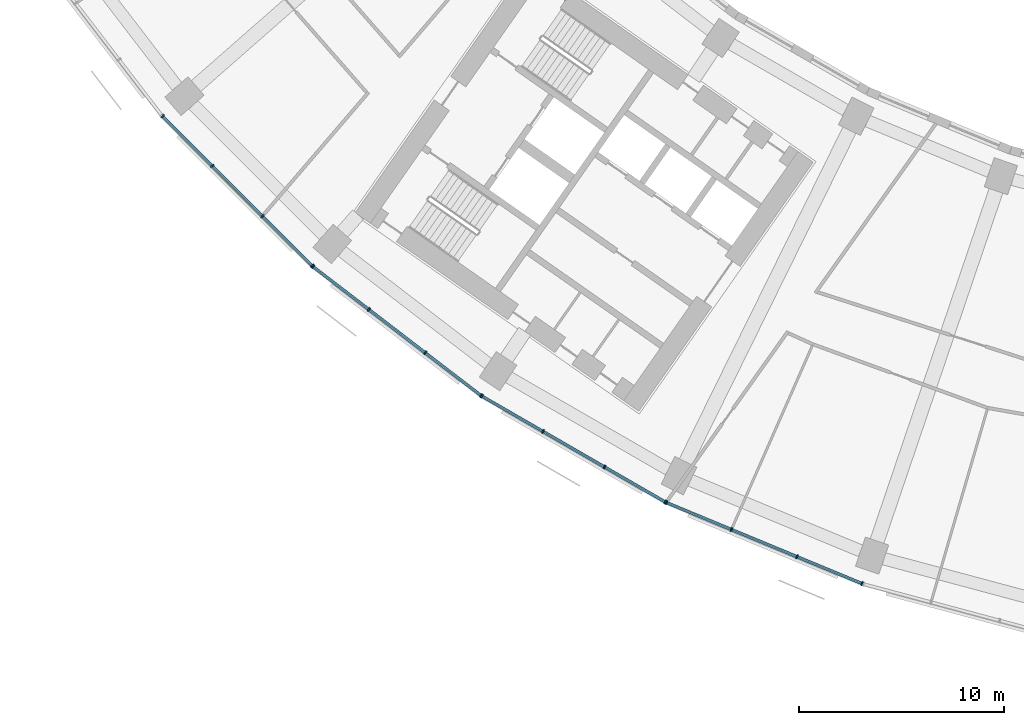
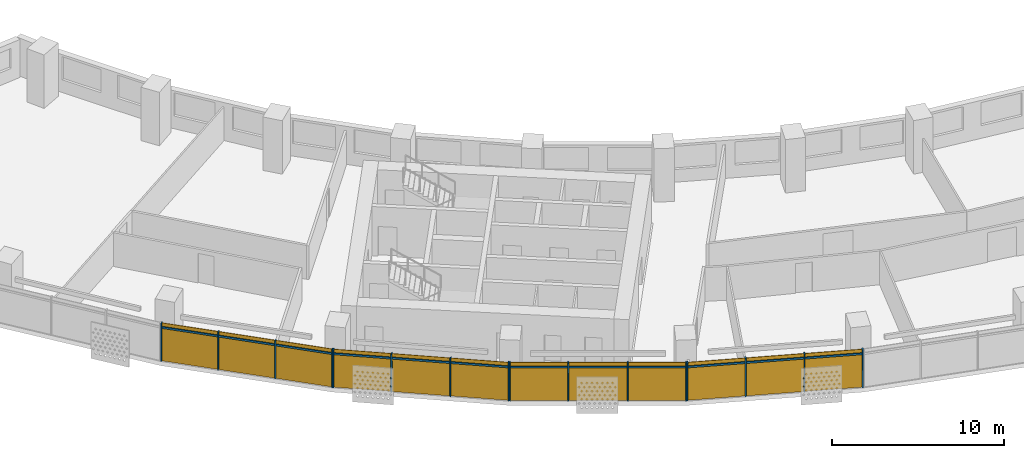
# One storey, part 18 of 29: 28 members, 4 curtain walls.
"""IFC4 building model written with IfcOpenShell, lengths in metres."""

from ifc_helpers import new_model, si_unit, direction, frame, origin, origin_2d, place, context, subcontext, project, spatial, rectangle, extrude, material, material_profile, profile_set, type_object, element, aggregate, save


model = new_model("IFC4")

# Units and contexts
model_context = context("Model", 3, precision=1e-05, world=origin(), true_north=direction((0.0, 1.0)))
body_context = subcontext(model_context, "Body", "Model", "MODEL_VIEW")
ifc_project = project(units=[si_unit("LENGTHUNIT", "METRE"), si_unit("AREAUNIT", "SQUARE_METRE"), si_unit("VOLUMEUNIT", "CUBIC_METRE"), si_unit("PLANEANGLEUNIT", "RADIAN"), si_unit("MASSUNIT", "GRAM", prefix="KILO")], contexts=[model_context])

# Member
ifc_material = material(Name="Aluminium 6063-T6 anodised", Category="aluminium")
ifc_material_profile_1 = material_profile(ifc_material, rectangle(XDim=0.199951171875, YDim=0.070068359375, at=origin_2d()))
ifc_profile_set_1 = profile_set([ifc_material_profile_1], Name="Aluminium 6063-T6 anodised")
member_type_1 = type_object("IfcMemberType", Name="Mullion 70 x 200 aluminium", PredefinedType="MULLION", material=ifc_profile_set_1)
site_placement = place(None, origin())
building_placement = place(site_placement, origin())
storey_placement = place(building_placement, frame((0.0, 0.0, 136.699951171875)))
member_1_placement = place(storey_placement, frame((-59.525390625, -52.240234375, 0.0), z_axis=(0.0, 0.0, 1.0), x_axis=(0.707106781187, 0.707106781187, 0.0)))
member_1 = element("IfcMember", 1, at=member_1_placement, type_object=member_type_1, Name="e-cw1-L31-out03/M00", PredefinedType="MULLION", context=body_context, shape_type="SweptSolid", body=[
    extrude(rectangle(XDim=0.199951171875, YDim=0.070068359375, at=origin_2d()), origin(), (0.0, 0.0, 1.0), 2.699951171875),
])

member_2_placement = place(storey_placement, frame((-57.105224609375, -54.660400390625, 0.0), z_axis=(0.0, 0.0, 1.0), x_axis=(0.707106781187, 0.707106781187, 0.0)))
member_2 = element("IfcMember", 2, at=member_2_placement, type_object=member_type_1, Name="e-cw1-L31-out03/M01", PredefinedType="MULLION", context=body_context, shape_type="SweptSolid", body=[
    extrude(rectangle(XDim=0.199951171875, YDim=0.070068359375, at=origin_2d()), origin(), (0.0, 0.0, 1.0), 2.699951171875),
])

member_3_placement = place(storey_placement, frame((-54.660400390625, -57.105224609375, 0.0), z_axis=(0.0, 0.0, 1.0), x_axis=(0.707106781187, 0.707106781187, 0.0)))
member_3 = element("IfcMember", 3, at=member_3_placement, type_object=member_type_1, Name="e-cw1-L31-out03/M02", PredefinedType="MULLION", context=body_context, shape_type="SweptSolid", body=[
    extrude(rectangle(XDim=0.199951171875, YDim=0.070068359375, at=origin_2d()), origin(), (0.0, 0.0, 1.0), 2.699951171875),
])

member_4_placement = place(storey_placement, frame((-52.240234375, -59.525390625, 0.0), z_axis=(0.0, 0.0, 1.0), x_axis=(0.707106781187, 0.707106781187, 0.0)))
member_4 = element("IfcMember", 4, at=member_4_placement, type_object=member_type_1, Name="e-cw1-L31-out03/M03", PredefinedType="MULLION", context=body_context, shape_type="SweptSolid", body=[
    extrude(rectangle(XDim=0.199951171875, YDim=0.070068359375, at=origin_2d()), origin(), (0.0, 0.0, 1.0), 2.699951171875),
])

member_5_placement = place(storey_placement, frame((-52.197509765625, -59.56298828125, 0.0), z_axis=(0.0, 0.0, 1.0), x_axis=(0.608761429009, 0.793353340291, 0.0)))
member_5 = element("IfcMember", 5, at=member_5_placement, type_object=member_type_1, Name="e-cw1-L31-out04/M00", PredefinedType="MULLION", context=body_context, shape_type="SweptSolid", body=[
    extrude(rectangle(XDim=0.199951171875, YDim=0.070068359375, at=origin_2d()), origin(), (0.0, 0.0, 1.0), 2.699951171875),
])

member_6_placement = place(storey_placement, frame((-49.482177734375, -61.646484375, 0.0), z_axis=(0.0, 0.0, 1.0), x_axis=(0.608761429009, 0.793353340291, 0.0)))
member_6 = element("IfcMember", 6, at=member_6_placement, type_object=member_type_1, Name="e-cw1-L31-out04/M01", PredefinedType="MULLION", context=body_context, shape_type="SweptSolid", body=[
    extrude(rectangle(XDim=0.199951171875, YDim=0.070068359375, at=origin_2d()), origin(), (0.0, 0.0, 1.0), 2.699951171875),
])

member_7_placement = place(storey_placement, frame((-46.739013671875, -63.751220703125, 0.0), z_axis=(0.0, 0.0, 1.0), x_axis=(0.608761429009, 0.793353340291, 0.0)))
member_7 = element("IfcMember", 7, at=member_7_placement, type_object=member_type_1, Name="e-cw1-L31-out04/M02", PredefinedType="MULLION", context=body_context, shape_type="SweptSolid", body=[
    extrude(rectangle(XDim=0.199951171875, YDim=0.070068359375, at=origin_2d()), origin(), (0.0, 0.0, 1.0), 2.699951171875),
])

member_8_placement = place(storey_placement, frame((-44.023681640625, -65.8349609375, 0.0), z_axis=(0.0, 0.0, 1.0), x_axis=(0.608761429009, 0.793353340291, 0.0)))
member_8 = element("IfcMember", 8, at=member_8_placement, type_object=member_type_1, Name="e-cw1-L31-out04/M03", PredefinedType="MULLION", context=body_context, shape_type="SweptSolid", body=[
    extrude(rectangle(XDim=0.199951171875, YDim=0.070068359375, at=origin_2d()), origin(), (0.0, 0.0, 1.0), 2.699951171875),
])

member_9_placement = place(storey_placement, frame((-43.976318359375, -65.866455078125, 0.0), z_axis=(0.0, 0.0, 1.0), x_axis=(0.5, 0.866025403784, 0.0)))
member_9 = element("IfcMember", 9, at=member_9_placement, type_object=member_type_1, Name="e-cw1-L31-out05/M00", PredefinedType="MULLION", context=body_context, shape_type="SweptSolid", body=[
    extrude(rectangle(XDim=0.199951171875, YDim=0.070068359375, at=origin_2d()), origin(), (0.0, 0.0, 1.0), 2.699951171875),
])

member_10_placement = place(storey_placement, frame((-41.01220703125, -67.577880859375, 0.0), z_axis=(0.0, 0.0, 1.0), x_axis=(0.5, 0.866025403784, 0.0)))
member_10 = element("IfcMember", 10, at=member_10_placement, type_object=member_type_1, Name="e-cw1-L31-out05/M01", PredefinedType="MULLION", context=body_context, shape_type="SweptSolid", body=[
    extrude(rectangle(XDim=0.199951171875, YDim=0.070068359375, at=origin_2d()), origin(), (0.0, 0.0, 1.0), 2.699951171875),
])

member_11_placement = place(storey_placement, frame((-38.017822265625, -69.306640625, 0.0), z_axis=(0.0, 0.0, 1.0), x_axis=(0.5, 0.866025403784, 0.0)))
member_11 = element("IfcMember", 11, at=member_11_placement, type_object=member_type_1, Name="e-cw1-L31-out05/M02", PredefinedType="MULLION", context=body_context, shape_type="SweptSolid", body=[
    extrude(rectangle(XDim=0.199951171875, YDim=0.070068359375, at=origin_2d()), origin(), (0.0, 0.0, 1.0), 2.699951171875),
])

member_12_placement = place(storey_placement, frame((-35.0537109375, -71.017822265625, 0.0), z_axis=(0.0, 0.0, 1.0), x_axis=(0.5, 0.866025403784, 0.0)))
member_12 = element("IfcMember", 12, at=member_12_placement, type_object=member_type_1, Name="e-cw1-L31-out05/M03", PredefinedType="MULLION", context=body_context, shape_type="SweptSolid", body=[
    extrude(rectangle(XDim=0.199951171875, YDim=0.070068359375, at=origin_2d()), origin(), (0.0, 0.0, 1.0), 2.699951171875),
])

member_13_placement = place(storey_placement, frame((-35.0029296875, -71.04296875, 0.0), z_axis=(0.0, 0.0, 1.0), x_axis=(0.382683432365, 0.923879532511, 0.0)))
member_13 = element("IfcMember", 13, at=member_13_placement, type_object=member_type_1, Name="e-cw1-L31-out06/M00", PredefinedType="MULLION", context=body_context, shape_type="SweptSolid", body=[
    extrude(rectangle(XDim=0.199951171875, YDim=0.070068359375, at=origin_2d()), origin(), (0.0, 0.0, 1.0), 2.699951171875),
])

member_14_placement = place(storey_placement, frame((-31.8408203125, -72.352783203125, 0.0), z_axis=(0.0, 0.0, 1.0), x_axis=(0.382683432365, 0.923879532511, 0.0)))
member_14 = element("IfcMember", 14, at=member_14_placement, type_object=member_type_1, Name="e-cw1-L31-out06/M01", PredefinedType="MULLION", context=body_context, shape_type="SweptSolid", body=[
    extrude(rectangle(XDim=0.199951171875, YDim=0.070068359375, at=origin_2d()), origin(), (0.0, 0.0, 1.0), 2.699951171875),
])

member_15_placement = place(storey_placement, frame((-28.646240234375, -73.676025390625, 0.0), z_axis=(0.0, 0.0, 1.0), x_axis=(0.382683432365, 0.923879532511, 0.0)))
member_15 = element("IfcMember", 15, at=member_15_placement, type_object=member_type_1, Name="e-cw1-L31-out06/M02", PredefinedType="MULLION", context=body_context, shape_type="SweptSolid", body=[
    extrude(rectangle(XDim=0.199951171875, YDim=0.070068359375, at=origin_2d()), origin(), (0.0, 0.0, 1.0), 2.699951171875),
])

member_16_placement = place(storey_placement, frame((-25.484130859375, -74.98583984375, 0.0), z_axis=(0.0, 0.0, 1.0), x_axis=(0.382683432365, 0.923879532511, 0.0)))
member_16 = element("IfcMember", 16, at=member_16_placement, type_object=member_type_1, Name="e-cw1-L31-out06/M03", PredefinedType="MULLION", context=body_context, shape_type="SweptSolid", body=[
    extrude(rectangle(XDim=0.199951171875, YDim=0.070068359375, at=origin_2d()), origin(), (0.0, 0.0, 1.0), 2.699951171875),
])

ifc_material_profile_2 = material_profile(ifc_material, rectangle(XDim=0.139892578125, YDim=0.1201171875, at=origin_2d()))
ifc_profile_set_2 = profile_set([ifc_material_profile_2], Name="Aluminium 6063-T6 anodised")
member_type_2 = type_object("IfcMemberType", Name="Transom 120 x 140 aluminium", PredefinedType="USERDEFINED", material=ifc_profile_set_2)
member_17_placement = place(storey_placement, frame((-59.500732421875, -52.264892578125, 2.400146484375), z_axis=(0.707106781187, -0.707106781187, 0.0), x_axis=(0.707106781187, 0.707106781187, 0.0)))
member_17 = element("IfcMember", 17, at=member_17_placement, type_object=member_type_2, Name="e-cw1-L31-out03/T00", ObjectType="TRANSOM", PredefinedType="USERDEFINED", context=body_context, shape_type="SweptSolid", body=[
    extrude(rectangle(XDim=0.139892578125, YDim=0.1201171875, at=origin_2d()), origin(), (0.0, 0.0, 1.0), 3.3525390625),
])

member_18_placement = place(storey_placement, frame((-57.08056640625, -54.68505859375, 2.400146484375), z_axis=(0.707106781187, -0.707106781187, 0.0), x_axis=(0.707106781187, 0.707106781187, 0.0)))
member_18 = element("IfcMember", 18, at=member_18_placement, type_object=member_type_2, Name="e-cw1-L31-out03/T01", ObjectType="TRANSOM", PredefinedType="USERDEFINED", context=body_context, shape_type="SweptSolid", body=[
    extrude(rectangle(XDim=0.139892578125, YDim=0.1201171875, at=origin_2d()), origin(), (0.0, 0.0, 1.0), 3.3876953125),
])

member_19_placement = place(storey_placement, frame((-54.635498046875, -57.130126953125, 2.400146484375), z_axis=(0.707106781187, -0.707106781187, 0.0), x_axis=(0.707106781187, 0.707106781187, 0.0)))
member_19 = element("IfcMember", 19, at=member_19_placement, type_object=member_type_2, Name="e-cw1-L31-out03/T02", ObjectType="TRANSOM", PredefinedType="USERDEFINED", context=body_context, shape_type="SweptSolid", body=[
    extrude(rectangle(XDim=0.139892578125, YDim=0.1201171875, at=origin_2d()), origin(), (0.0, 0.0, 1.0), 3.3525390625),
])

member_20_placement = place(storey_placement, frame((-52.169677734375, -59.584228515625, 2.400146484375), z_axis=(0.793354308621, -0.608760167055, 0.0), x_axis=(0.608760167055, 0.793354308621, 0.0)))
member_20 = element("IfcMember", 20, at=member_20_placement, type_object=member_type_2, Name="e-cw1-L31-out04/T00", ObjectType="TRANSOM", PredefinedType="USERDEFINED", context=body_context, shape_type="SweptSolid", body=[
    extrude(rectangle(XDim=0.139892578125, YDim=0.1201171875, at=origin_2d()), origin(), (0.0, 0.0, 1.0), 3.352783203125),
])

member_21_placement = place(storey_placement, frame((-49.454345703125, -61.667724609375, 2.400146484375), z_axis=(0.793344133173, -0.608773427772, 0.0), x_axis=(0.608773427772, 0.793344133173, 0.0)))
member_21 = element("IfcMember", 21, at=member_21_placement, type_object=member_type_2, Name="e-cw1-L31-out04/T01", ObjectType="TRANSOM", PredefinedType="USERDEFINED", context=body_context, shape_type="SweptSolid", body=[
    extrude(rectangle(XDim=0.139892578125, YDim=0.1201171875, at=origin_2d()), origin(), (0.0, 0.0, 1.0), 3.387451171875),
])

member_22_placement = place(storey_placement, frame((-46.711181640625, -63.772705078125, 2.400146484375), z_axis=(0.793389477316, -0.608714331426, 0.0), x_axis=(0.608714331426, 0.793389477316, 0.0)))
member_22 = element("IfcMember", 22, at=member_22_placement, type_object=member_type_2, Name="e-cw1-L31-out04/T02", ObjectType="TRANSOM", PredefinedType="USERDEFINED", context=body_context, shape_type="SweptSolid", body=[
    extrude(rectangle(XDim=0.139892578125, YDim=0.1201171875, at=origin_2d()), origin(), (0.0, 0.0, 1.0), 3.3525390625),
])

member_23_placement = place(storey_placement, frame((-43.946044921875, -65.884033203125, 2.400146484375), z_axis=(0.866020654818, -0.50000822536, 0.0), x_axis=(0.50000822536, 0.866020654818, 0.0)))
member_23 = element("IfcMember", 23, at=member_23_placement, type_object=member_type_2, Name="e-cw1-L31-out05/T00", ObjectType="TRANSOM", PredefinedType="USERDEFINED", context=body_context, shape_type="SweptSolid", body=[
    extrude(rectangle(XDim=0.139892578125, YDim=0.1201171875, at=origin_2d()), origin(), (0.0, 0.0, 1.0), 3.3525390625),
])

member_24_placement = place(storey_placement, frame((-40.98193359375, -67.59521484375, 2.400146484375), z_axis=(0.866025971257, -0.499999017107, 0.0), x_axis=(0.499999017107, 0.866025971257, 0.0)))
member_24 = element("IfcMember", 24, at=member_24_placement, type_object=member_type_2, Name="e-cw1-L31-out05/T01", ObjectType="TRANSOM", PredefinedType="USERDEFINED", context=body_context, shape_type="SweptSolid", body=[
    extrude(rectangle(XDim=0.139892578125, YDim=0.1201171875, at=origin_2d()), origin(), (0.0, 0.0, 1.0), 3.3876953125),
])

member_25_placement = place(storey_placement, frame((-37.987548828125, -69.323974609375, 2.400146484375), z_axis=(0.865989120267, -0.50006283963, 0.0), x_axis=(0.50006283963, 0.865989120267, 0.0)))
member_25 = element("IfcMember", 25, at=member_25_placement, type_object=member_type_2, Name="e-cw1-L31-out05/T02", ObjectType="TRANSOM", PredefinedType="USERDEFINED", context=body_context, shape_type="SweptSolid", body=[
    extrude(rectangle(XDim=0.139892578125, YDim=0.1201171875, at=origin_2d()), origin(), (0.0, 0.0, 1.0), 3.3525390625),
])

member_26_placement = place(storey_placement, frame((-34.970458984375, -71.056396484375, 2.400146484375), z_axis=(0.923882814237, -0.382675509483, 0.0), x_axis=(0.382675509483, 0.923882814237, 0.0)))
member_26 = element("IfcMember", 26, at=member_26_placement, type_object=member_type_2, Name="e-cw1-L31-out06/T00", ObjectType="TRANSOM", PredefinedType="USERDEFINED", context=body_context, shape_type="SweptSolid", body=[
    extrude(rectangle(XDim=0.139892578125, YDim=0.1201171875, at=origin_2d()), origin(), (0.0, 0.0, 1.0), 3.3525390625),
])

member_27_placement = place(storey_placement, frame((-31.808349609375, -72.3662109375, 2.400146484375), z_axis=(0.923874529423, -0.382695510666, 0.0), x_axis=(0.382695510666, 0.923874529423, 0.0)))
member_27 = element("IfcMember", 27, at=member_27_placement, type_object=member_type_2, Name="e-cw1-L31-out06/T01", ObjectType="TRANSOM", PredefinedType="USERDEFINED", context=body_context, shape_type="SweptSolid", body=[
    extrude(rectangle(XDim=0.139892578125, YDim=0.1201171875, at=origin_2d()), origin(), (0.0, 0.0, 1.0), 3.387451171875),
])

member_28_placement = place(storey_placement, frame((-28.614013671875, -73.689453125, 2.400146484375), z_axis=(0.923882814237, -0.382675509483, 0.0), x_axis=(0.382675509483, 0.923882814237, 0.0)))
member_28 = element("IfcMember", 28, at=member_28_placement, type_object=member_type_2, Name="e-cw1-L31-out06/T02", ObjectType="TRANSOM", PredefinedType="USERDEFINED", context=body_context, shape_type="SweptSolid", body=[
    extrude(rectangle(XDim=0.139892578125, YDim=0.1201171875, at=origin_2d()), origin(), (0.0, 0.0, 1.0), 3.3525390625),
])

# Site, building, storey
site = spatial("IfcSite", under=ifc_project, at=site_placement, CompositionType="ELEMENT")
building = spatial("IfcBuilding", under=site, at=building_placement, Name="Qamariyya Broadcast Tower", CompositionType="ELEMENT")
storey = spatial("IfcBuildingStorey", under=building, at=storey_placement, Name="L31", CompositionType="ELEMENT", Elevation=136.699951171875)

# Curtain wall
curtain_wall_type = type_object("IfcCurtainWallType", Name="Unitised curtain wall, anodised aluminium", PredefinedType="NOTDEFINED", material=ifc_material)
curtain_wall_1_placement = place(storey_placement, origin())
curtain_wall_1 = element("IfcCurtainWall", 29, at=curtain_wall_1_placement, inside=storey, type_object=curtain_wall_type, Name="e-cw1-L31-out03", PredefinedType="NOTDEFINED", context=body_context, shape_type="SweptSolid", body=[
    extrude(rectangle(XDim=3.352783203125, YDim=0.031982421875, at=origin_2d()), frame((-58.3154296875, -53.4501953125, 0.0), x_axis=(0.707106781187, -0.707106781187, 0.0)), (0.0, 0.0, 1.0), 2.340087890625),
    extrude(rectangle(XDim=3.352783203125, YDim=0.031982421875, at=origin_2d()), frame((-58.3154296875, -53.4501953125, 2.4599609375), x_axis=(0.707106781187, -0.707106781187, 0.0)), (0.0, 0.0, 1.0), 0.239990234375),
    extrude(rectangle(XDim=3.3876953125, YDim=0.031982421875, at=origin_2d()), frame((-55.8828125, -55.8828125, 0.0), x_axis=(0.707106781187, -0.707106781187, 0.0)), (0.0, 0.0, 1.0), 2.340087890625),
    extrude(rectangle(XDim=3.3876953125, YDim=0.031982421875, at=origin_2d()), frame((-55.8828125, -55.8828125, 2.4599609375), x_axis=(0.707106781187, -0.707106781187, 0.0)), (0.0, 0.0, 1.0), 0.239990234375),
    extrude(rectangle(XDim=3.352783203125, YDim=0.031982421875, at=origin_2d()), frame((-53.4501953125, -58.3154296875, 0.0), x_axis=(0.707106781187, -0.707106781187, 0.0)), (0.0, 0.0, 1.0), 2.340087890625),
    extrude(rectangle(XDim=3.352783203125, YDim=0.031982421875, at=origin_2d()), frame((-53.4501953125, -58.3154296875, 2.4599609375), x_axis=(0.707106781187, -0.707106781187, 0.0)), (0.0, 0.0, 1.0), 0.239990234375),
])

aggregate(curtain_wall_1, [member_1, member_2, member_3, member_4, member_17, member_18, member_19])

curtain_wall_2_placement = place(storey_placement, origin())
curtain_wall_2 = element("IfcCurtainWall", 30, at=curtain_wall_2_placement, inside=storey, type_object=curtain_wall_type, Name="e-cw1-L31-out04", PredefinedType="NOTDEFINED", context=body_context, shape_type="SweptSolid", body=[
    extrude(rectangle(XDim=3.352783203125, YDim=0.031982421875, at=origin_2d()), frame((-50.83984375, -60.6044921875, 0.0), x_axis=(0.793354000839, -0.608760568165, 0.0)), (0.0, 0.0, 1.0), 2.340087890625),
    extrude(rectangle(XDim=3.352783203125, YDim=0.031982421875, at=origin_2d()), frame((-50.83984375, -60.6044921875, 2.4599609375), x_axis=(0.793354000839, -0.608760568165, 0.0)), (0.0, 0.0, 1.0), 0.239990234375),
    extrude(rectangle(XDim=3.3876953125, YDim=0.031982421875, at=origin_2d()), frame((-48.110595703125, -62.69873046875, 0.0), x_axis=(0.793354000839, -0.608760568165, 0.0)), (0.0, 0.0, 1.0), 2.340087890625),
    extrude(rectangle(XDim=3.3876953125, YDim=0.031982421875, at=origin_2d()), frame((-48.110595703125, -62.69873046875, 2.4599609375), x_axis=(0.793354000839, -0.608760568165, 0.0)), (0.0, 0.0, 1.0), 0.239990234375),
    extrude(rectangle(XDim=3.352783203125, YDim=0.031982421875, at=origin_2d()), frame((-45.38134765625, -64.793212890625, 0.0), x_axis=(0.793354000839, -0.608760568165, 0.0)), (0.0, 0.0, 1.0), 2.340087890625),
    extrude(rectangle(XDim=3.352783203125, YDim=0.031982421875, at=origin_2d()), frame((-45.38134765625, -64.793212890625, 2.4599609375), x_axis=(0.793354000839, -0.608760568165, 0.0)), (0.0, 0.0, 1.0), 0.239990234375),
])

aggregate(curtain_wall_2, [member_5, member_6, member_7, member_8, member_20, member_21, member_22])

curtain_wall_3_placement = place(storey_placement, origin())
curtain_wall_3 = element("IfcCurtainWall", 31, at=curtain_wall_3_placement, inside=storey, type_object=curtain_wall_type, Name="e-cw1-L31-out05", PredefinedType="NOTDEFINED", context=body_context, shape_type="SweptSolid", body=[
    extrude(rectangle(XDim=3.352783203125, YDim=0.031982421875, at=origin_2d()), frame((-42.494384765625, -66.72216796875, 0.0), x_axis=(0.866027243369, -0.499996813733, 0.0)), (0.0, 0.0, 1.0), 2.340087890625),
    extrude(rectangle(XDim=3.352783203125, YDim=0.031982421875, at=origin_2d()), frame((-42.494384765625, -66.72216796875, 2.4599609375), x_axis=(0.866027243369, -0.499996813733, 0.0)), (0.0, 0.0, 1.0), 0.239990234375),
    extrude(rectangle(XDim=3.3876953125, YDim=0.031982421875, at=origin_2d()), frame((-39.51513671875, -68.442138671875, 0.0), x_axis=(0.866027243369, -0.499996813733, 0.0)), (0.0, 0.0, 1.0), 2.340087890625),
    extrude(rectangle(XDim=3.3876953125, YDim=0.031982421875, at=origin_2d()), frame((-39.51513671875, -68.442138671875, 2.4599609375), x_axis=(0.866027243369, -0.499996813733, 0.0)), (0.0, 0.0, 1.0), 0.239990234375),
    extrude(rectangle(XDim=3.352783203125, YDim=0.031982421875, at=origin_2d()), frame((-36.535888671875, -70.162109375, 0.0), x_axis=(0.866027243369, -0.499996813733, 0.0)), (0.0, 0.0, 1.0), 2.340087890625),
    extrude(rectangle(XDim=3.352783203125, YDim=0.031982421875, at=origin_2d()), frame((-36.535888671875, -70.162109375, 2.4599609375), x_axis=(0.866027243369, -0.499996813733, 0.0)), (0.0, 0.0, 1.0), 0.239990234375),
])

aggregate(curtain_wall_3, [member_9, member_10, member_11, member_12, member_23, member_24, member_25])

curtain_wall_4_placement = place(storey_placement, origin())
curtain_wall_4 = element("IfcCurtainWall", 32, at=curtain_wall_4_placement, inside=storey, type_object=curtain_wall_type, Name="e-cw1-L31-out06", PredefinedType="NOTDEFINED", context=body_context, shape_type="SweptSolid", body=[
    extrude(rectangle(XDim=3.3525390625, YDim=0.031982421875, at=origin_2d()), frame((-33.421875, -71.69775390625, 0.0), x_axis=(0.923872250857, -0.382701011361, 0.0)), (0.0, 0.0, 1.0), 2.340087890625),
    extrude(rectangle(XDim=3.3525390625, YDim=0.031982421875, at=origin_2d()), frame((-33.421875, -71.69775390625, 2.4599609375), x_axis=(0.923872250857, -0.382701011361, 0.0)), (0.0, 0.0, 1.0), 0.239990234375),
    extrude(rectangle(XDim=3.3876953125, YDim=0.031982421875, at=origin_2d()), frame((-30.24365234375, -73.014404296875, 0.0), x_axis=(0.923872250857, -0.382701011361, 0.0)), (0.0, 0.0, 1.0), 2.340087890625),
    extrude(rectangle(XDim=3.3876953125, YDim=0.031982421875, at=origin_2d()), frame((-30.24365234375, -73.014404296875, 2.4599609375), x_axis=(0.923872250857, -0.382701011361, 0.0)), (0.0, 0.0, 1.0), 0.239990234375),
    extrude(rectangle(XDim=3.3525390625, YDim=0.031982421875, at=origin_2d()), frame((-27.065185546875, -74.3310546875, 0.0), x_axis=(0.923872250857, -0.382701011361, 0.0)), (0.0, 0.0, 1.0), 2.340087890625),
    extrude(rectangle(XDim=3.3525390625, YDim=0.031982421875, at=origin_2d()), frame((-27.065185546875, -74.3310546875, 2.4599609375), x_axis=(0.923872250857, -0.382701011361, 0.0)), (0.0, 0.0, 1.0), 0.239990234375),
])

aggregate(curtain_wall_4, [member_13, member_14, member_15, member_16, member_26, member_27, member_28])

save(model, "model.ifc")
